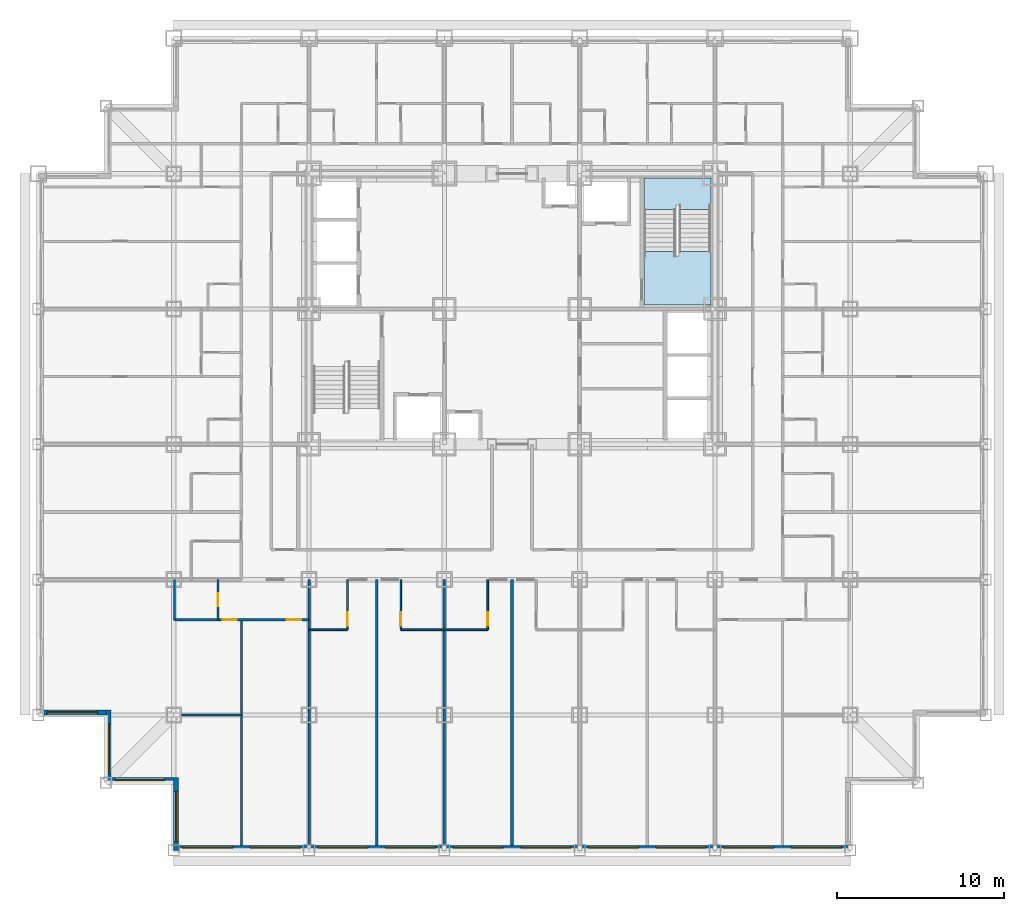
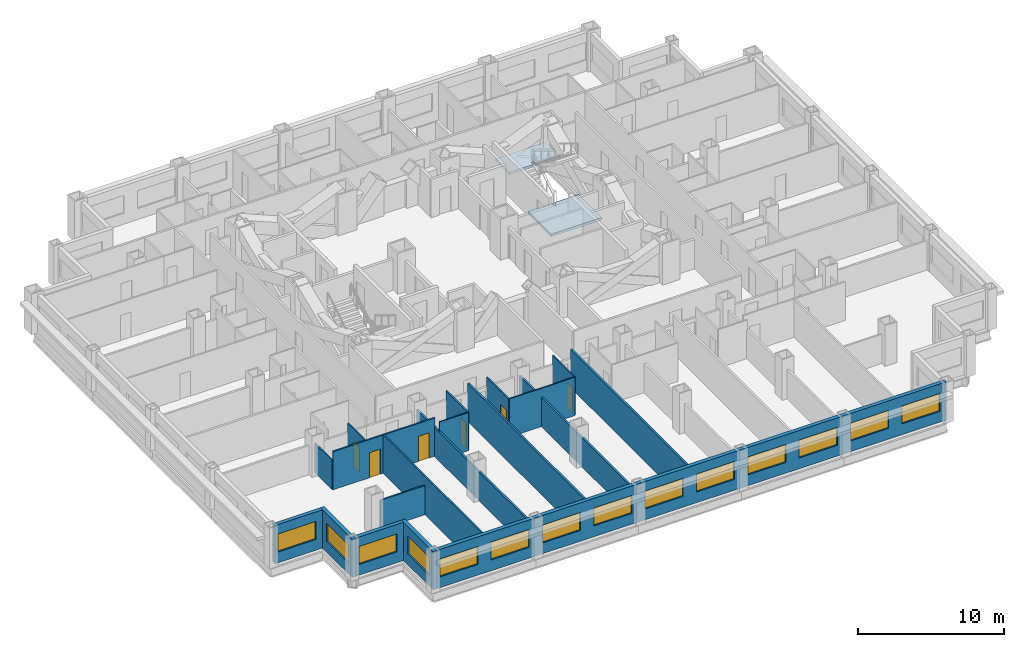
# One storey, part 3 of 11: 19 walls, 14 windows, 6 doors, 2 slabs, 20 openings, 1 element without a shape of its own.
"""IFC4 building model written with IfcOpenShell, lengths in metres."""

from ifc_helpers import new_model, si_unit, direction, frame, frame_2d, origin, place, context, subcontext, project, spatial, polyline, rectangle, outline, extrude, material, layer, layer_set, type_object, element, fill, aggregate, save


model = new_model("IFC4")

# Units and contexts
model_context = context("Model", 3, precision=1e-05, world=origin(), true_north=direction((0.0, 1.0)))
body_context = subcontext(model_context, "Body", "Model", "MODEL_VIEW")
ifc_project = project(units=[si_unit("LENGTHUNIT", "METRE"), si_unit("AREAUNIT", "SQUARE_METRE"), si_unit("VOLUMEUNIT", "CUBIC_METRE"), si_unit("PLANEANGLEUNIT", "RADIAN"), si_unit("MASSUNIT", "GRAM", prefix="KILO")], contexts=[model_context])

# Site, building, storey
site_placement = place(None, origin())
site = spatial("IfcSite", under=ifc_project, at=site_placement, CompositionType="ELEMENT")
building_placement = place(site_placement, origin())
building = spatial("IfcBuilding", under=site, at=building_placement, Name="Kopane Lantern Tower", CompositionType="ELEMENT")
storey_placement = place(building_placement, frame((0.0, 0.0, 84.0)))
storey = spatial("IfcBuildingStorey", under=building, at=storey_placement, Name="L21", CompositionType="ELEMENT", Elevation=84.0)

# Stair, slabs
ifc_material_1 = material(Name="Steel S355JR", Category="steel")
stair_type = type_object("IfcStairType", Name="EXIT STAIR 1900 HALF TURN", PredefinedType="HALF_TURN_STAIR", material=ifc_material_1)
stair_placement = place(storey_placement, origin())
stair = element("IfcStair", 1, at=stair_placement, inside=storey, type_object=stair_type, Name="Exit stair ST2 L21", PredefinedType="HALF_TURN_STAIR")
ifc_material_2 = material(Name="Concrete C40/50", Category="concrete")
ifc_layer_1 = layer(ifc_material_2, 0.199951171875)
ifc_layer_set_1 = layer_set([ifc_layer_1], Name="STAIR LANDING 200")
slab_type = type_object("IfcSlabType", Name="STAIR LANDING 200", PredefinedType="LANDING", material=ifc_layer_set_1)
slab_1_placement = place(storey_placement, frame((0.0, 0.0, -0.199951171875)))
slab_1 = element("IfcSlab", 2, at=slab_1_placement, type_object=slab_type, Name="ST2 landing 1", PredefinedType="LANDING", context=body_context, shape_type="SweptSolid", body=[
    extrude(outline(polyline([(40.25, 35.830078125), (38.35009765625, 35.830078125), (38.35009765625, 35.550048828125), (38.14990234375, 35.550048828125), (38.14990234375, 35.830078125), (36.25, 35.830078125), (36.25, 32.64990234375), (40.25, 32.64990234375), (40.25, 35.830078125)])), origin(), (0.0, 0.0, 1.0), 0.199951171875),
])
slab_2_placement = place(storey_placement, frame((0.0, 0.0, 1.5)))
slab_2 = element("IfcSlab", 3, at=slab_2_placement, type_object=slab_type, Name="ST2 landing 2", PredefinedType="LANDING", context=body_context, shape_type="SweptSolid", body=[
    extrude(outline(polyline([(38.14990234375, 38.6298828125), (38.35009765625, 38.6298828125), (38.35009765625, 38.35009765625), (40.25, 38.35009765625), (40.25, 40.25), (36.25, 40.25), (36.25, 38.35009765625), (38.14990234375, 38.35009765625), (38.14990234375, 38.6298828125)])), origin(), (0.0, 0.0, 1.0), 0.199951171875),
])
aggregate(stair, [slab_1, slab_2])

# Wall, openings, doors
ifc_material_3 = material(Name="Gypsum board on steel studs", Category="steel")
ifc_layer_2 = layer(ifc_material_3, 0.1201171875)
ifc_layer_set_2 = layer_set([ifc_layer_2], Name="APARTMENT INTERNAL WALL 120")
wall_type_1 = type_object("IfcWallType", Name="APARTMENT INTERNAL WALL 120", PredefinedType="PARTITIONING", material=ifc_layer_set_2)
wall_1_placement = place(storey_placement, frame((8.14990234375, 13.800048828125, 0.0), z_axis=(0.0, 0.0, 1.0), x_axis=(1.0, 0.0, 0.0)))
wall_1 = element("IfcWall", 4, at=wall_1_placement, inside=storey, type_object=wall_type_1, Name="Apartment Internal Wall 120 L21", PredefinedType="PARTITIONING", context=body_context, shape_type="SweptSolid", body=[
    extrude(rectangle(XDim=8.050048828125, YDim=0.1201171875, at=frame_2d((4.02490234375, 0.0))), origin(), (0.0, 0.0, 1.0), 3.18994140625),
])
opening_1_placement = place(wall_1_placement, frame((6.72509765625, 0.0, 0.0)))
opening_1 = element("IfcOpeningElement", 5, at=opening_1_placement, cuts=wall_1, Name="Opening L21-058", PredefinedType="OPENING", context=body_context, shape_type="SweptSolid", body=[
    extrude(rectangle(XDim=0.85009765625, YDim=2.10009765625, at=frame_2d((0.425048828125, 1.050048828125))), frame((0.0, 0.070068359375, 0.0), z_axis=(0.0, -1.0, 0.0), x_axis=(1.0, 0.0, 0.0)), (0.0, 0.0, 1.0), 0.14013671875),
])
opening_2_placement = place(wall_1_placement, frame((2.875, 0.0, 0.0)))
opening_2 = element("IfcOpeningElement", 6, at=opening_2_placement, cuts=wall_1, Name="Opening L21-060", PredefinedType="OPENING", context=body_context, shape_type="SweptSolid", body=[
    extrude(rectangle(XDim=0.85009765625, YDim=2.10009765625, at=frame_2d((0.425048828125, 1.050048828125))), frame((0.0, 0.070068359375, 0.0), z_axis=(0.0, -1.0, 0.0), x_axis=(1.0, 0.0, 0.0)), (0.0, 0.0, 1.0), 0.14013671875),
])
ifc_material_4 = material(Name="Timber door set", Category="wood")
door_type_1 = type_object("IfcDoorType", Name="DOOR D4 850x2100", OperationType="SINGLE_SWING_LEFT", PredefinedType="DOOR", material=ifc_material_4)
door_1_placement = place(opening_1_placement, origin())
door_1 = element("IfcDoor", 7, at=door_1_placement, inside=storey, type_object=door_type_1, Name="Door L21-058", OperationType="SINGLE_SWING_RIGHT", OverallHeight=2.10009765625, OverallWidth=0.85009765625, PredefinedType="DOOR", context=body_context, shape_type="SweptSolid", body=[
    extrude(rectangle(XDim=0.85009765625, YDim=2.10009765625, at=frame_2d((0.425048828125, 1.050048828125))), frame((0.0, 0.02490234375, 0.0), z_axis=(0.0, -1.0, 0.0), x_axis=(1.0, 0.0, 0.0)), (0.0, 0.0, 1.0), 0.050048828125),
])
fill(opening_1, door_1)
door_2_placement = place(opening_2_placement, origin())
door_2 = element("IfcDoor", 8, at=door_2_placement, inside=storey, type_object=door_type_1, Name="Door L21-060", OperationType="SINGLE_SWING_LEFT", OverallHeight=2.10009765625, OverallWidth=0.85009765625, PredefinedType="DOOR", context=body_context, shape_type="SweptSolid", body=[
    extrude(rectangle(XDim=0.85009765625, YDim=2.10009765625, at=frame_2d((0.425048828125, 1.050048828125))), frame((0.0, 0.02490234375, 0.0), z_axis=(0.0, -1.0, 0.0), x_axis=(1.0, 0.0, 0.0)), (0.0, 0.0, 1.0), 0.050048828125),
])
fill(opening_2, door_2)

# Walls
wall_2_placement = place(storey_placement, frame((12.14990234375, 13.800048828125, 0.0), z_axis=(0.0, 0.0, 1.0), x_axis=(0.0, -1.0, 0.0)))
element("IfcWall", 9, at=wall_2_placement, inside=storey, type_object=wall_type_1, Name="Apartment Internal Wall 120 L21", PredefinedType="PARTITIONING", context=body_context, shape_type="SweptSolid", body=[
    extrude(rectangle(XDim=13.5, YDim=0.1201171875, at=frame_2d((6.75, 0.0))), origin(), (0.0, 0.0, 1.0), 3.18994140625),
])
wall_3_placement = place(storey_placement, frame((12.14990234375, 8.10009765625, 0.0), z_axis=(0.0, 0.0, 1.0), x_axis=(-1.0, 0.0, 0.0)))
element("IfcWall", 10, at=wall_3_placement, inside=storey, type_object=wall_type_1, Name="Apartment Internal Wall 120 L21", PredefinedType="PARTITIONING", context=body_context, shape_type="SweptSolid", body=[
    extrude(rectangle(XDim=3.574951171875, YDim=0.1201171875, at=frame_2d((1.78759765625, 0.0))), origin(), (0.0, 0.0, 1.0), 2.427734375),
])
ifc_material_5 = material(Name="Moisture-resistant board on steel studs", Category="steel")
ifc_layer_3 = layer(ifc_material_5, 0.10009765625)
ifc_layer_set_3 = layer_set([ifc_layer_3], Name="BATHROOM WALL 100")
wall_type_2 = type_object("IfcWallType", Name="BATHROOM WALL 100", PredefinedType="PARTITIONING", material=ifc_layer_set_3)
wall_4_placement = place(storey_placement, frame((16.199951171875, 13.199951171875, 0.0), z_axis=(0.0, 0.0, 1.0), x_axis=(1.0, 0.0, 0.0)))
element("IfcWall", 11, at=wall_4_placement, inside=storey, type_object=wall_type_2, Name="Bathroom Wall 100 L21", PredefinedType="PARTITIONING", context=body_context, shape_type="SweptSolid", body=[
    extrude(rectangle(XDim=2.300048828125, YDim=0.10009765625, at=frame_2d((1.14990234375, 0.0))), origin(), (0.0, 0.0, 1.0), 3.18994140625),
])

# Wall, opening, door
wall_5_placement = place(storey_placement, frame((18.5, 16.199951171875, 0.0), z_axis=(0.0, 0.0, 1.0), x_axis=(0.0, -1.0, 0.0)))
wall_5 = element("IfcWall", 12, at=wall_5_placement, inside=storey, type_object=wall_type_2, Name="Bathroom Wall 100 L21", PredefinedType="PARTITIONING", context=body_context, shape_type="SweptSolid", body=[
    extrude(rectangle(XDim=3.0, YDim=0.10009765625, at=frame_2d((1.5, 0.0))), origin(), (0.0, 0.0, 1.0), 3.18994140625),
])
opening_3_placement = place(wall_5_placement, frame((1.949951171875, 0.0, 0.0)))
opening_3 = element("IfcOpeningElement", 13, at=opening_3_placement, cuts=wall_5, Name="Opening L21-009", PredefinedType="OPENING", context=body_context, shape_type="SweptSolid", body=[
    extrude(rectangle(XDim=0.800048828125, YDim=2.10009765625, at=frame_2d((0.39990234375, 1.050048828125))), frame((0.0, 0.06005859375, 0.0), z_axis=(0.0, -1.0, 0.0), x_axis=(1.0, 0.0, 0.0)), (0.0, 0.0, 1.0), 0.1201171875),
])
ifc_material_6 = material(Name="Timber door set", Category="wood")
door_type_2 = type_object("IfcDoorType", Name="DOOR D2 800x2100", OperationType="SINGLE_SWING_LEFT", PredefinedType="DOOR", material=ifc_material_6)
door_3_placement = place(opening_3_placement, origin())
door_3 = element("IfcDoor", 14, at=door_3_placement, inside=storey, type_object=door_type_2, Name="Door L21-009", OperationType="SINGLE_SWING_LEFT", OverallHeight=2.10009765625, OverallWidth=0.800048828125, PredefinedType="DOOR", context=body_context, shape_type="SweptSolid", body=[
    extrude(rectangle(XDim=0.800048828125, YDim=2.10009765625, at=frame_2d((0.39990234375, 1.050048828125))), frame((0.0, 0.02490234375, 0.0), z_axis=(0.0, -1.0, 0.0), x_axis=(1.0, 0.0, 0.0)), (0.0, 0.0, 1.0), 0.050048828125),
])
fill(opening_3, door_3)

# Wall
wall_6_placement = place(storey_placement, frame((21.699951171875, 13.199951171875, 0.0), z_axis=(0.0, 0.0, 1.0), x_axis=(1.0, 0.0, 0.0)))
element("IfcWall", 15, at=wall_6_placement, inside=storey, type_object=wall_type_2, Name="Bathroom Wall 100 L21", PredefinedType="PARTITIONING", context=body_context, shape_type="SweptSolid", body=[
    extrude(rectangle(XDim=5.199951171875, YDim=0.10009765625, at=frame_2d((2.60009765625, 0.0))), origin(), (0.0, 0.0, 1.0), 3.18994140625),
])

# Wall, opening, door
wall_7_placement = place(storey_placement, frame((21.699951171875, 16.199951171875, 0.0), z_axis=(0.0, 0.0, 1.0), x_axis=(0.0, -1.0, 0.0)))
wall_7 = element("IfcWall", 16, at=wall_7_placement, inside=storey, type_object=wall_type_2, Name="Bathroom Wall 100 L21", PredefinedType="PARTITIONING", context=body_context, shape_type="SweptSolid", body=[
    extrude(rectangle(XDim=3.0, YDim=0.10009765625, at=frame_2d((1.5, 0.0))), origin(), (0.0, 0.0, 1.0), 3.18994140625),
])
opening_4_placement = place(wall_7_placement, frame((1.949951171875, 0.0, 0.0)))
opening_4 = element("IfcOpeningElement", 17, at=opening_4_placement, cuts=wall_7, Name="Opening L21-011", PredefinedType="OPENING", context=body_context, shape_type="SweptSolid", body=[
    extrude(rectangle(XDim=0.800048828125, YDim=2.10009765625, at=frame_2d((0.39990234375, 1.050048828125))), frame((0.0, 0.06005859375, 0.0), z_axis=(0.0, -1.0, 0.0), x_axis=(1.0, 0.0, 0.0)), (0.0, 0.0, 1.0), 0.1201171875),
])
door_4_placement = place(opening_4_placement, origin())
door_4 = element("IfcDoor", 18, at=door_4_placement, inside=storey, type_object=door_type_2, Name="Door L21-011", OperationType="SINGLE_SWING_RIGHT", OverallHeight=2.10009765625, OverallWidth=0.800048828125, PredefinedType="DOOR", context=body_context, shape_type="SweptSolid", body=[
    extrude(rectangle(XDim=0.800048828125, YDim=2.10009765625, at=frame_2d((0.39990234375, 1.050048828125))), frame((0.0, 0.02490234375, 0.0), z_axis=(0.0, -1.0, 0.0), x_axis=(1.0, 0.0, 0.0)), (0.0, 0.0, 1.0), 0.050048828125),
])
fill(opening_4, door_4)

wall_8_placement = place(storey_placement, frame((26.89990234375, 16.199951171875, 0.0), z_axis=(0.0, 0.0, 1.0), x_axis=(0.0, -1.0, 0.0)))
wall_8 = element("IfcWall", 19, at=wall_8_placement, inside=storey, type_object=wall_type_2, Name="Bathroom Wall 100 L21", PredefinedType="PARTITIONING", context=body_context, shape_type="SweptSolid", body=[
    extrude(rectangle(XDim=3.0, YDim=0.10009765625, at=frame_2d((1.5, 0.0))), origin(), (0.0, 0.0, 1.0), 3.18994140625),
])
opening_5_placement = place(wall_8_placement, frame((1.949951171875, 0.0, 0.0)))
opening_5 = element("IfcOpeningElement", 20, at=opening_5_placement, cuts=wall_8, Name="Opening L21-013", PredefinedType="OPENING", context=body_context, shape_type="SweptSolid", body=[
    extrude(rectangle(XDim=0.800048828125, YDim=2.10009765625, at=frame_2d((0.39990234375, 1.050048828125))), frame((0.0, 0.06005859375, 0.0), z_axis=(0.0, -1.0, 0.0), x_axis=(1.0, 0.0, 0.0)), (0.0, 0.0, 1.0), 0.1201171875),
])
door_5_placement = place(opening_5_placement, origin())
door_5 = element("IfcDoor", 21, at=door_5_placement, inside=storey, type_object=door_type_2, Name="Door L21-013", OperationType="SINGLE_SWING_LEFT", OverallHeight=2.10009765625, OverallWidth=0.800048828125, PredefinedType="DOOR", context=body_context, shape_type="SweptSolid", body=[
    extrude(rectangle(XDim=0.800048828125, YDim=2.10009765625, at=frame_2d((0.39990234375, 1.050048828125))), frame((0.0, 0.02490234375, 0.0), z_axis=(0.0, -1.0, 0.0), x_axis=(1.0, 0.0, 0.0)), (0.0, 0.0, 1.0), 0.050048828125),
])
fill(opening_5, door_5)

wall_9_placement = place(storey_placement, frame((10.75, 16.199951171875, 0.0), z_axis=(0.0, 0.0, 1.0), x_axis=(0.0, -1.0, 0.0)))
wall_9 = element("IfcWall", 22, at=wall_9_placement, inside=storey, type_object=wall_type_2, Name="Bathroom Wall 100 L21", PredefinedType="PARTITIONING", context=body_context, shape_type="SweptSolid", body=[
    extrude(rectangle(XDim=2.39990234375, YDim=0.10009765625, at=frame_2d((1.199951171875, 0.0))), origin(), (0.0, 0.0, 1.0), 3.18994140625),
])
opening_6_placement = place(wall_9_placement, frame((0.800048828125, 0.0, 0.0)))
opening_6 = element("IfcOpeningElement", 23, at=opening_6_placement, cuts=wall_9, Name="Opening L21-059", PredefinedType="OPENING", context=body_context, shape_type="SweptSolid", body=[
    extrude(rectangle(XDim=0.800048828125, YDim=2.10009765625, at=frame_2d((0.39990234375, 1.050048828125))), frame((0.0, 0.06005859375, 0.0), z_axis=(0.0, -1.0, 0.0), x_axis=(1.0, 0.0, 0.0)), (0.0, 0.0, 1.0), 0.1201171875),
])
door_6_placement = place(opening_6_placement, origin())
door_6 = element("IfcDoor", 24, at=door_6_placement, inside=storey, type_object=door_type_2, Name="Door L21-059", OperationType="SINGLE_SWING_RIGHT", OverallHeight=2.10009765625, OverallWidth=0.800048828125, PredefinedType="DOOR", context=body_context, shape_type="SweptSolid", body=[
    extrude(rectangle(XDim=0.800048828125, YDim=2.10009765625, at=frame_2d((0.39990234375, 1.050048828125))), frame((0.0, 0.02490234375, 0.0), z_axis=(0.0, -1.0, 0.0), x_axis=(1.0, 0.0, 0.0)), (0.0, 0.0, 1.0), 0.050048828125),
])
fill(opening_6, door_6)

# Walls
wall_10_placement = place(storey_placement, frame((8.14990234375, 16.199951171875, 0.0), z_axis=(0.0, 0.0, 1.0), x_axis=(0.0, -1.0, 0.0)))
element("IfcWall", 25, at=wall_10_placement, inside=storey, type_object=wall_type_2, Name="Bathroom Wall 100 L21", PredefinedType="PARTITIONING", context=body_context, shape_type="SweptSolid", body=[
    extrude(rectangle(XDim=2.39990234375, YDim=0.10009765625, at=frame_2d((1.199951171875, 0.0))), origin(), (0.0, 0.0, 1.0), 2.427734375),
])
ifc_material_7 = material(Name="Gypsum board on steel studs", Category="steel")
ifc_layer_4 = layer(ifc_material_7, 0.14990234375)
ifc_layer_set_4 = layer_set([ifc_layer_4], Name="DEMISING WALL 150 EI 60")
wall_type_3 = type_object("IfcWallType", Name="DEMISING WALL 150 EI 60", PredefinedType="PARTITIONING", material=ifc_layer_set_4)
wall_11_placement = place(storey_placement, frame((20.25, 16.199951171875, 0.0), z_axis=(0.0, 0.0, 1.0), x_axis=(0.0, -1.0, 0.0)))
element("IfcWall", 26, at=wall_11_placement, inside=storey, type_object=wall_type_3, Name="Demising Wall 150 Ei 60 L21", PredefinedType="PARTITIONING", context=body_context, shape_type="SweptSolid", body=[
    extrude(rectangle(XDim=15.89990234375, YDim=0.14990234375, at=frame_2d((7.949951171875, 0.0))), origin(), (0.0, 0.0, 1.0), 3.18994140625),
])
wall_12_placement = place(storey_placement, frame((24.300048828125, 16.199951171875, 0.0), z_axis=(0.0, 0.0, 1.0), x_axis=(0.0, -1.0, 0.0)))
element("IfcWall", 27, at=wall_12_placement, inside=storey, type_object=wall_type_3, Name="Demising Wall 150 Ei 60 L21", PredefinedType="PARTITIONING", context=body_context, shape_type="SweptSolid", body=[
    extrude(rectangle(XDim=15.89990234375, YDim=0.14990234375, at=frame_2d((7.949951171875, 0.0))), origin(), (0.0, 0.0, 1.0), 2.427734375),
])
wall_13_placement = place(storey_placement, frame((28.35009765625, 16.199951171875, 0.0), z_axis=(0.0, 0.0, 1.0), x_axis=(0.0, -1.0, 0.0)))
element("IfcWall", 28, at=wall_13_placement, inside=storey, type_object=wall_type_3, Name="Demising Wall 150 Ei 60 L21", PredefinedType="PARTITIONING", context=body_context, shape_type="SweptSolid", body=[
    extrude(rectangle(XDim=15.89990234375, YDim=0.14990234375, at=frame_2d((7.949951171875, 0.0))), origin(), (0.0, 0.0, 1.0), 3.18994140625),
])
wall_14_placement = place(storey_placement, frame((16.199951171875, 16.199951171875, 0.0), z_axis=(0.0, 0.0, 1.0), x_axis=(0.0, -1.0, 0.0)))
element("IfcWall", 29, at=wall_14_placement, inside=storey, type_object=wall_type_3, Name="Demising Wall 150 Ei 60 L21", PredefinedType="PARTITIONING", context=body_context, shape_type="SweptSolid", body=[
    extrude(rectangle(XDim=15.89990234375, YDim=0.14990234375, at=frame_2d((7.949951171875, 0.0))), origin(), (0.0, 0.0, 1.0), 2.427734375),
])

# Wall, openings, windows
ifc_material_8 = material(Name="Terracotta rainscreen on light steel framing", Category="masonry")
ifc_layer_5 = layer(ifc_material_8, 0.300048828125)
ifc_layer_set_5 = layer_set([ifc_layer_5], Name="EXTERNAL WALL EW1 300 TERRACOTTA")
wall_type_4 = type_object("IfcWallType", Name="EXTERNAL WALL EW1 300 TERRACOTTA", PredefinedType="SOLIDWALL", material=ifc_layer_set_5)
wall_15_placement = place(storey_placement, frame((8.39990234375, 0.14990234375, 0.0), z_axis=(0.0, 0.0, 1.0), x_axis=(1.0, 0.0, 0.0)))
wall_15 = element("IfcWall", 30, at=wall_15_placement, inside=storey, type_object=wall_type_4, Name="External wall S L21", PredefinedType="SOLIDWALL", context=body_context, shape_type="SweptSolid", body=[
    extrude(rectangle(XDim=40.2001953125, YDim=0.300048828125, at=frame_2d((20.10009765625, 0.0))), origin(), (0.0, 0.0, 1.0), 3.18994140625),
])
opening_7_placement = place(wall_15_placement, frame((0.22509765625, 0.0, 0.89990234375)))
opening_7 = element("IfcOpeningElement", 31, at=opening_7_placement, cuts=wall_15, Name="Opening WR300150", PredefinedType="OPENING", context=body_context, shape_type="SweptSolid", body=[
    extrude(rectangle(XDim=3.0, YDim=1.5, at=frame_2d((1.5, 0.75))), frame((0.0, 0.159912109375, 0.0), z_axis=(0.0, -1.0, 0.0), x_axis=(1.0, 0.0, 0.0)), (0.0, 0.0, 1.0), 0.320068359375),
])
opening_8_placement = place(wall_15_placement, frame((4.27490234375, 0.0, 0.89990234375)))
opening_8 = element("IfcOpeningElement", 32, at=opening_8_placement, cuts=wall_15, Name="Opening WR300150", PredefinedType="OPENING", context=body_context, shape_type="SweptSolid", body=[
    extrude(rectangle(XDim=3.0, YDim=1.5, at=frame_2d((1.5, 0.75))), frame((0.0, 0.159912109375, 0.0), z_axis=(0.0, -1.0, 0.0), x_axis=(1.0, 0.0, 0.0)), (0.0, 0.0, 1.0), 0.320068359375),
])
opening_9_placement = place(wall_15_placement, frame((8.324951171875, 0.0, 0.89990234375)))
opening_9 = element("IfcOpeningElement", 33, at=opening_9_placement, cuts=wall_15, Name="Opening WR300150", PredefinedType="OPENING", context=body_context, shape_type="SweptSolid", body=[
    extrude(rectangle(XDim=3.0, YDim=1.5, at=frame_2d((1.5, 0.75))), frame((0.0, 0.159912109375, 0.0), z_axis=(0.0, -1.0, 0.0), x_axis=(1.0, 0.0, 0.0)), (0.0, 0.0, 1.0), 0.320068359375),
])
opening_10_placement = place(wall_15_placement, frame((12.375, 0.0, 0.89990234375)))
opening_10 = element("IfcOpeningElement", 34, at=opening_10_placement, cuts=wall_15, Name="Opening WR300150", PredefinedType="OPENING", context=body_context, shape_type="SweptSolid", body=[
    extrude(rectangle(XDim=3.0, YDim=1.5, at=frame_2d((1.5, 0.75))), frame((0.0, 0.159912109375, 0.0), z_axis=(0.0, -1.0, 0.0), x_axis=(1.0, 0.0, 0.0)), (0.0, 0.0, 1.0), 0.320068359375),
])
opening_11_placement = place(wall_15_placement, frame((16.425048828125, 0.0, 0.89990234375)))
opening_11 = element("IfcOpeningElement", 35, at=opening_11_placement, cuts=wall_15, Name="Opening WR300150", PredefinedType="OPENING", context=body_context, shape_type="SweptSolid", body=[
    extrude(rectangle(XDim=3.0, YDim=1.5, at=frame_2d((1.5, 0.75))), frame((0.0, 0.159912109375, 0.0), z_axis=(0.0, -1.0, 0.0), x_axis=(1.0, 0.0, 0.0)), (0.0, 0.0, 1.0), 0.320068359375),
])
opening_12_placement = place(wall_15_placement, frame((20.47509765625, 0.0, 0.89990234375)))
opening_12 = element("IfcOpeningElement", 36, at=opening_12_placement, cuts=wall_15, Name="Opening WR300150", PredefinedType="OPENING", context=body_context, shape_type="SweptSolid", body=[
    extrude(rectangle(XDim=3.0, YDim=1.5, at=frame_2d((1.5, 0.75))), frame((0.0, 0.159912109375, 0.0), z_axis=(0.0, -1.0, 0.0), x_axis=(1.0, 0.0, 0.0)), (0.0, 0.0, 1.0), 0.320068359375),
])
opening_13_placement = place(wall_15_placement, frame((24.52490234375, 0.0, 0.89990234375)))
opening_13 = element("IfcOpeningElement", 37, at=opening_13_placement, cuts=wall_15, Name="Opening WR300150", PredefinedType="OPENING", context=body_context, shape_type="SweptSolid", body=[
    extrude(rectangle(XDim=3.0, YDim=1.5, at=frame_2d((1.5, 0.75))), frame((0.0, 0.159912109375, 0.0), z_axis=(0.0, -1.0, 0.0), x_axis=(1.0, 0.0, 0.0)), (0.0, 0.0, 1.0), 0.320068359375),
])
opening_14_placement = place(wall_15_placement, frame((28.574951171875, 0.0, 0.89990234375)))
opening_14 = element("IfcOpeningElement", 38, at=opening_14_placement, cuts=wall_15, Name="Opening WR300150", PredefinedType="OPENING", context=body_context, shape_type="SweptSolid", body=[
    extrude(rectangle(XDim=3.0, YDim=1.5, at=frame_2d((1.5, 0.75))), frame((0.0, 0.159912109375, 0.0), z_axis=(0.0, -1.0, 0.0), x_axis=(1.0, 0.0, 0.0)), (0.0, 0.0, 1.0), 0.320068359375),
])
opening_15_placement = place(wall_15_placement, frame((32.625, 0.0, 0.89990234375)))
opening_15 = element("IfcOpeningElement", 39, at=opening_15_placement, cuts=wall_15, Name="Opening WR300150", PredefinedType="OPENING", context=body_context, shape_type="SweptSolid", body=[
    extrude(rectangle(XDim=3.0, YDim=1.5, at=frame_2d((1.5, 0.75))), frame((0.0, 0.159912109375, 0.0), z_axis=(0.0, -1.0, 0.0), x_axis=(1.0, 0.0, 0.0)), (0.0, 0.0, 1.0), 0.320068359375),
])
opening_16_placement = place(wall_15_placement, frame((36.675048828125, 0.0, 0.89990234375)))
opening_16 = element("IfcOpeningElement", 40, at=opening_16_placement, cuts=wall_15, Name="Opening WR300150", PredefinedType="OPENING", context=body_context, shape_type="SweptSolid", body=[
    extrude(rectangle(XDim=3.0, YDim=1.5, at=frame_2d((1.5, 0.75))), frame((0.0, 0.159912109375, 0.0), z_axis=(0.0, -1.0, 0.0), x_axis=(1.0, 0.0, 0.0)), (0.0, 0.0, 1.0), 0.320068359375),
])
ifc_material_9 = material(Name="Aluminium and clear glass", Category="aluminium")
window_type = type_object("IfcWindowType", Name="RIBBON WINDOW WR300150 3000x1500", PartitioningType="SINGLE_PANEL", PredefinedType="WINDOW", material=ifc_material_9)
window_1_placement = place(opening_7_placement, origin())
window_1 = element("IfcWindow", 41, at=window_1_placement, inside=storey, type_object=window_type, Name="Window S L21", OverallHeight=1.5, OverallWidth=3.0, PartitioningType="SINGLE_PANEL", PredefinedType="WINDOW", context=body_context, shape_type="SweptSolid", body=[
    extrude(rectangle(XDim=3.0, YDim=1.5, at=frame_2d((1.5, 0.75))), frame((0.0, 0.030029296875, 0.0), z_axis=(0.0, -1.0, 0.0), x_axis=(1.0, 0.0, 0.0)), (0.0, 0.0, 1.0), 0.06005859375),
])
fill(opening_7, window_1)
window_2_placement = place(opening_8_placement, origin())
window_2 = element("IfcWindow", 42, at=window_2_placement, inside=storey, type_object=window_type, Name="Window S L21", OverallHeight=1.5, OverallWidth=3.0, PartitioningType="SINGLE_PANEL", PredefinedType="WINDOW", context=body_context, shape_type="SweptSolid", body=[
    extrude(rectangle(XDim=3.0, YDim=1.5, at=frame_2d((1.5, 0.75))), frame((0.0, 0.030029296875, 0.0), z_axis=(0.0, -1.0, 0.0), x_axis=(1.0, 0.0, 0.0)), (0.0, 0.0, 1.0), 0.06005859375),
])
fill(opening_8, window_2)
window_3_placement = place(opening_9_placement, origin())
window_3 = element("IfcWindow", 43, at=window_3_placement, inside=storey, type_object=window_type, Name="Window S L21", OverallHeight=1.5, OverallWidth=3.0, PartitioningType="SINGLE_PANEL", PredefinedType="WINDOW", context=body_context, shape_type="SweptSolid", body=[
    extrude(rectangle(XDim=3.0, YDim=1.5, at=frame_2d((1.5, 0.75))), frame((0.0, 0.030029296875, 0.0), z_axis=(0.0, -1.0, 0.0), x_axis=(1.0, 0.0, 0.0)), (0.0, 0.0, 1.0), 0.06005859375),
])
fill(opening_9, window_3)
window_4_placement = place(opening_10_placement, origin())
window_4 = element("IfcWindow", 44, at=window_4_placement, inside=storey, type_object=window_type, Name="Window S L21", OverallHeight=1.5, OverallWidth=3.0, PartitioningType="SINGLE_PANEL", PredefinedType="WINDOW", context=body_context, shape_type="SweptSolid", body=[
    extrude(rectangle(XDim=3.0, YDim=1.5, at=frame_2d((1.5, 0.75))), frame((0.0, 0.030029296875, 0.0), z_axis=(0.0, -1.0, 0.0), x_axis=(1.0, 0.0, 0.0)), (0.0, 0.0, 1.0), 0.06005859375),
])
fill(opening_10, window_4)
window_5_placement = place(opening_11_placement, origin())
window_5 = element("IfcWindow", 45, at=window_5_placement, inside=storey, type_object=window_type, Name="Window S L21", OverallHeight=1.5, OverallWidth=3.0, PartitioningType="SINGLE_PANEL", PredefinedType="WINDOW", context=body_context, shape_type="SweptSolid", body=[
    extrude(rectangle(XDim=3.0, YDim=1.5, at=frame_2d((1.5, 0.75))), frame((0.0, 0.030029296875, 0.0), z_axis=(0.0, -1.0, 0.0), x_axis=(1.0, 0.0, 0.0)), (0.0, 0.0, 1.0), 0.06005859375),
])
fill(opening_11, window_5)
window_6_placement = place(opening_12_placement, origin())
window_6 = element("IfcWindow", 46, at=window_6_placement, inside=storey, type_object=window_type, Name="Window S L21", OverallHeight=1.5, OverallWidth=3.0, PartitioningType="SINGLE_PANEL", PredefinedType="WINDOW", context=body_context, shape_type="SweptSolid", body=[
    extrude(rectangle(XDim=3.0, YDim=1.5, at=frame_2d((1.5, 0.75))), frame((0.0, 0.030029296875, 0.0), z_axis=(0.0, -1.0, 0.0), x_axis=(1.0, 0.0, 0.0)), (0.0, 0.0, 1.0), 0.06005859375),
])
fill(opening_12, window_6)
window_7_placement = place(opening_13_placement, origin())
window_7 = element("IfcWindow", 47, at=window_7_placement, inside=storey, type_object=window_type, Name="Window S L21", OverallHeight=1.5, OverallWidth=3.0, PartitioningType="SINGLE_PANEL", PredefinedType="WINDOW", context=body_context, shape_type="SweptSolid", body=[
    extrude(rectangle(XDim=3.0, YDim=1.5, at=frame_2d((1.5, 0.75))), frame((0.0, 0.030029296875, 0.0), z_axis=(0.0, -1.0, 0.0), x_axis=(1.0, 0.0, 0.0)), (0.0, 0.0, 1.0), 0.06005859375),
])
fill(opening_13, window_7)
window_8_placement = place(opening_14_placement, origin())
window_8 = element("IfcWindow", 48, at=window_8_placement, inside=storey, type_object=window_type, Name="Window S L21", OverallHeight=1.5, OverallWidth=3.0, PartitioningType="SINGLE_PANEL", PredefinedType="WINDOW", context=body_context, shape_type="SweptSolid", body=[
    extrude(rectangle(XDim=3.0, YDim=1.5, at=frame_2d((1.5, 0.75))), frame((0.0, 0.030029296875, 0.0), z_axis=(0.0, -1.0, 0.0), x_axis=(1.0, 0.0, 0.0)), (0.0, 0.0, 1.0), 0.06005859375),
])
fill(opening_14, window_8)
window_9_placement = place(opening_15_placement, origin())
window_9 = element("IfcWindow", 49, at=window_9_placement, inside=storey, type_object=window_type, Name="Window S L21", OverallHeight=1.5, OverallWidth=3.0, PartitioningType="SINGLE_PANEL", PredefinedType="WINDOW", context=body_context, shape_type="SweptSolid", body=[
    extrude(rectangle(XDim=3.0, YDim=1.5, at=frame_2d((1.5, 0.75))), frame((0.0, 0.030029296875, 0.0), z_axis=(0.0, -1.0, 0.0), x_axis=(1.0, 0.0, 0.0)), (0.0, 0.0, 1.0), 0.06005859375),
])
fill(opening_15, window_9)
window_10_placement = place(opening_16_placement, origin())
window_10 = element("IfcWindow", 50, at=window_10_placement, inside=storey, type_object=window_type, Name="Window S L21", OverallHeight=1.5, OverallWidth=3.0, PartitioningType="SINGLE_PANEL", PredefinedType="WINDOW", context=body_context, shape_type="SweptSolid", body=[
    extrude(rectangle(XDim=3.0, YDim=1.5, at=frame_2d((1.5, 0.75))), frame((0.0, 0.030029296875, 0.0), z_axis=(0.0, -1.0, 0.0), x_axis=(1.0, 0.0, 0.0)), (0.0, 0.0, 1.0), 0.06005859375),
])
fill(opening_16, window_10)

# Wall, opening, window
wall_16_placement = place(storey_placement, frame((0.300048828125, 8.25, 0.0), z_axis=(0.0, 0.0, 1.0), x_axis=(1.0, 0.0, 0.0)))
wall_16 = element("IfcWall", 51, at=wall_16_placement, inside=storey, type_object=wall_type_4, Name="External wall S L21", PredefinedType="SOLIDWALL", context=body_context, shape_type="SweptSolid", body=[
    extrude(rectangle(XDim=3.75, YDim=0.300048828125, at=frame_2d((1.875, 0.0))), origin(), (0.0, 0.0, 1.0), 3.18994140625),
])
opening_17_placement = place(wall_16_placement, frame((0.22509765625, 0.0, 0.89990234375)))
opening_17 = element("IfcOpeningElement", 52, at=opening_17_placement, cuts=wall_16, Name="Opening WR300150", PredefinedType="OPENING", context=body_context, shape_type="SweptSolid", body=[
    extrude(rectangle(XDim=3.0, YDim=1.5, at=frame_2d((1.5, 0.75))), frame((0.0, 0.159912109375, 0.0), z_axis=(0.0, -1.0, 0.0), x_axis=(1.0, 0.0, 0.0)), (0.0, 0.0, 1.0), 0.320068359375),
])
window_11_placement = place(opening_17_placement, origin())
window_11 = element("IfcWindow", 53, at=window_11_placement, inside=storey, type_object=window_type, Name="Window S L21", OverallHeight=1.5, OverallWidth=3.0, PartitioningType="SINGLE_PANEL", PredefinedType="WINDOW", context=body_context, shape_type="SweptSolid", body=[
    extrude(rectangle(XDim=3.0, YDim=1.5, at=frame_2d((1.5, 0.75))), frame((0.0, 0.030029296875, 0.0), z_axis=(0.0, -1.0, 0.0), x_axis=(1.0, 0.0, 0.0)), (0.0, 0.0, 1.0), 0.06005859375),
])
fill(opening_17, window_11)

wall_17_placement = place(storey_placement, frame((4.199951171875, 8.39990234375, 0.0), z_axis=(0.0, 0.0, 1.0), x_axis=(0.0, -1.0, 0.0)))
wall_17 = element("IfcWall", 54, at=wall_17_placement, inside=storey, type_object=wall_type_4, Name="External wall W L21", PredefinedType="SOLIDWALL", context=body_context, shape_type="SweptSolid", body=[
    extrude(rectangle(XDim=4.349853515625, YDim=0.300048828125, at=frame_2d((2.1748046875, 0.0))), origin(), (0.0, 0.0, 1.0), 3.18994140625),
])
opening_18_placement = place(wall_17_placement, frame((0.824951171875, 0.0, 0.89990234375)))
opening_18 = element("IfcOpeningElement", 55, at=opening_18_placement, cuts=wall_17, Name="Opening WR300150", PredefinedType="OPENING", context=body_context, shape_type="SweptSolid", body=[
    extrude(rectangle(XDim=3.0, YDim=1.5, at=frame_2d((1.5, 0.75))), frame((0.0, 0.159912109375, 0.0), z_axis=(0.0, -1.0, 0.0), x_axis=(1.0, 0.0, 0.0)), (0.0, 0.0, 1.0), 0.320068359375),
])
window_12_placement = place(opening_18_placement, origin())
window_12 = element("IfcWindow", 56, at=window_12_placement, inside=storey, type_object=window_type, Name="Window W L21", OverallHeight=1.5, OverallWidth=3.0, PartitioningType="SINGLE_PANEL", PredefinedType="WINDOW", context=body_context, shape_type="SweptSolid", body=[
    extrude(rectangle(XDim=3.0, YDim=1.5, at=frame_2d((1.5, 0.75))), frame((0.0, 0.030029296875, 0.0), z_axis=(0.0, -1.0, 0.0), x_axis=(1.0, 0.0, 0.0)), (0.0, 0.0, 1.0), 0.06005859375),
])
fill(opening_18, window_12)

wall_18_placement = place(storey_placement, frame((4.35009765625, 4.199951171875, 0.0), z_axis=(0.0, 0.0, 1.0), x_axis=(1.0, 0.0, 0.0)))
wall_18 = element("IfcWall", 57, at=wall_18_placement, inside=storey, type_object=wall_type_4, Name="External wall S L21", PredefinedType="SOLIDWALL", context=body_context, shape_type="SweptSolid", body=[
    extrude(rectangle(XDim=3.75, YDim=0.300048828125, at=frame_2d((1.875, 0.0))), origin(), (0.0, 0.0, 1.0), 3.18994140625),
])
opening_19_placement = place(wall_18_placement, frame((0.22509765625, 0.0, 0.89990234375)))
opening_19 = element("IfcOpeningElement", 58, at=opening_19_placement, cuts=wall_18, Name="Opening WR300150", PredefinedType="OPENING", context=body_context, shape_type="SweptSolid", body=[
    extrude(rectangle(XDim=3.0, YDim=1.5, at=frame_2d((1.5, 0.75))), frame((0.0, 0.159912109375, 0.0), z_axis=(0.0, -1.0, 0.0), x_axis=(1.0, 0.0, 0.0)), (0.0, 0.0, 1.0), 0.320068359375),
])
window_13_placement = place(opening_19_placement, origin())
window_13 = element("IfcWindow", 59, at=window_13_placement, inside=storey, type_object=window_type, Name="Window S L21", OverallHeight=1.5, OverallWidth=3.0, PartitioningType="SINGLE_PANEL", PredefinedType="WINDOW", context=body_context, shape_type="SweptSolid", body=[
    extrude(rectangle(XDim=3.0, YDim=1.5, at=frame_2d((1.5, 0.75))), frame((0.0, 0.030029296875, 0.0), z_axis=(0.0, -1.0, 0.0), x_axis=(1.0, 0.0, 0.0)), (0.0, 0.0, 1.0), 0.06005859375),
])
fill(opening_19, window_13)

wall_19_placement = place(storey_placement, frame((8.25, 4.35009765625, 0.0), z_axis=(0.0, 0.0, 1.0), x_axis=(0.0, -1.0, 0.0)))
wall_19 = element("IfcWall", 60, at=wall_19_placement, inside=storey, type_object=wall_type_4, Name="External wall W L21", PredefinedType="SOLIDWALL", context=body_context, shape_type="SweptSolid", body=[
    extrude(rectangle(XDim=4.35009765625, YDim=0.300048828125, at=frame_2d((2.175048828125, 0.0))), origin(), (0.0, 0.0, 1.0), 3.18994140625),
])
opening_20_placement = place(wall_19_placement, frame((0.824951171875, 0.0, 0.89990234375)))
opening_20 = element("IfcOpeningElement", 61, at=opening_20_placement, cuts=wall_19, Name="Opening WR300150", PredefinedType="OPENING", context=body_context, shape_type="SweptSolid", body=[
    extrude(rectangle(XDim=3.0, YDim=1.5, at=frame_2d((1.5, 0.75))), frame((0.0, 0.159912109375, 0.0), z_axis=(0.0, -1.0, 0.0), x_axis=(1.0, 0.0, 0.0)), (0.0, 0.0, 1.0), 0.320068359375),
])
window_14_placement = place(opening_20_placement, origin())
window_14 = element("IfcWindow", 62, at=window_14_placement, inside=storey, type_object=window_type, Name="Window W L21", OverallHeight=1.5, OverallWidth=3.0, PartitioningType="SINGLE_PANEL", PredefinedType="WINDOW", context=body_context, shape_type="SweptSolid", body=[
    extrude(rectangle(XDim=3.0, YDim=1.5, at=frame_2d((1.5, 0.75))), frame((0.0, 0.030029296875, 0.0), z_axis=(0.0, -1.0, 0.0), x_axis=(1.0, 0.0, 0.0)), (0.0, 0.0, 1.0), 0.06005859375),
])
fill(opening_20, window_14)

save(model, "model.ifc")
